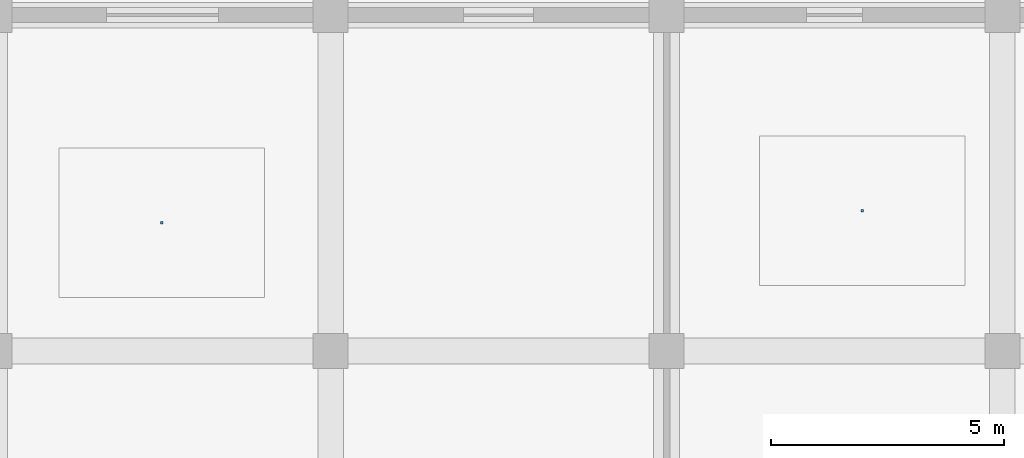
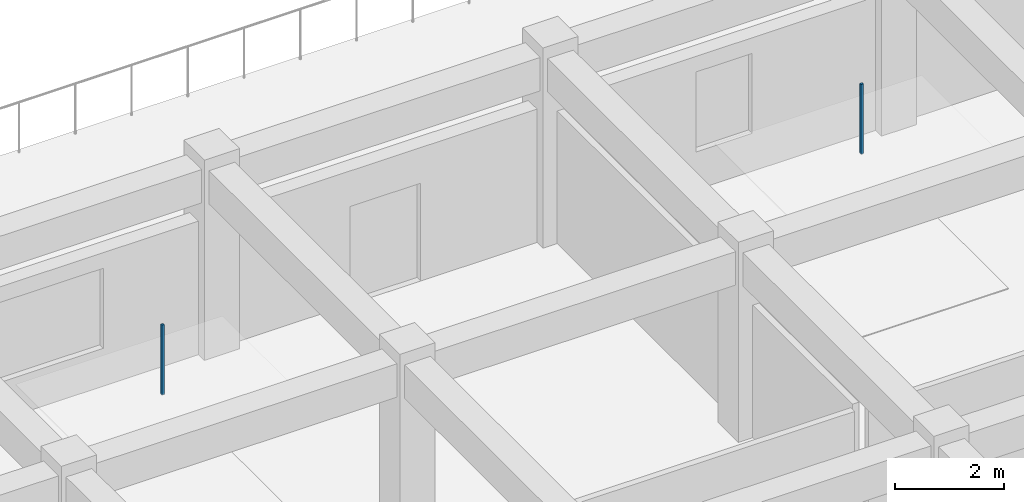
# One storey, part 48 of 56: 2 discrete accessories.
"""IFC4 building model written with IfcOpenShell, lengths in metres."""

import ifcopenshell
import ifcopenshell.guid

model = None  # the IFC model being written
_history = None  # IfcOwnerHistory: only IFC2X3 demands one
_inside = {}  # id of a spatial element -> (the spatial element, [elements in it])
_under = {}  # id of a project, library or spatial element -> (it, [spatial elements below it])
_declared = {}  # id of a project -> (the project, [libraries it declares])
_typed = {}  # id of a type object -> (the type object, [elements of that type])
_made_of = {}  # id of a material, layer set ... -> (it, [elements and type objects made of it])


def new_model(schema):
    """Start an empty IFC model of exactly this schema.

    Asked for "IFC4X3", IfcOpenShell would pick the latest addendum, in which some entities
    have other attributes; the version numbers below select the first issue.
    IFC2X3 requires an IfcOwnerHistory on every rooted entity: one is made here for all.
    """
    global model, _history
    if schema == "IFC4X3":
        model = ifcopenshell.file(schema_version=(4, 3, 0, 0))
    else:
        model = ifcopenshell.file(schema=schema)
    _inside.clear()
    _under.clear()
    _declared.clear()
    _typed.clear()
    _made_of.clear()
    _history = None
    if model.schema == "IFC2X3":
        org = make("IfcOrganization", Name="unknown")
        user = make(
            "IfcPersonAndOrganization",
            ThePerson=make("IfcPerson", FamilyName="unknown"),
            TheOrganization=org,
        )
        app = make(
            "IfcApplication",
            ApplicationDeveloper=org,
            Version="unknown",
            ApplicationFullName="unknown",
            ApplicationIdentifier="unknown",
        )
        _history = make(
            "IfcOwnerHistory",
            OwningUser=user,
            OwningApplication=app,
            ChangeAction="ADDED",
            CreationDate=0,
        )
    return model


def make(cls, **values):
    """One entity of the class cls with the attributes given. An attribute that is None is left unset."""
    return model.create_entity(
        cls, **{name: value for name, value in values.items() if value is not None}
    )


def rooted(cls, **values):
    """An entity with a GlobalId (a new one), such as an element, a storey or a relation."""
    return make(cls, GlobalId=ifcopenshell.guid.new(), OwnerHistory=_history, **values)


def si_unit(unit_type, name, prefix=None):
    """IfcSIUnit, for example si_unit("LENGTHUNIT", "METRE", prefix="MILLI")."""
    return make("IfcSIUnit", UnitType=unit_type, Prefix=prefix, Name=name)


def assignment(units):
    """IfcUnitAssignment: the units of a project."""
    return None if units is None else make("IfcUnitAssignment", Units=units)


def point(xyz):
    """IfcCartesianPoint."""
    return None if xyz is None else make("IfcCartesianPoint", Coordinates=xyz)


def direction(xyz):
    """IfcDirection."""
    return None if xyz is None else make("IfcDirection", DirectionRatios=xyz)


def frame(location, z_axis=None, x_axis=None):
    """IfcAxis2Placement3D, a coordinate frame: its origin and axes. An axis left out is left unset."""
    return make(
        "IfcAxis2Placement3D",
        Location=point(location),
        Axis=direction(z_axis),
        RefDirection=direction(x_axis),
    )


def frame_2d(location, x_axis=None):
    """IfcAxis2Placement2D, a coordinate frame in the plane: its origin and x axis."""
    return make(
        "IfcAxis2Placement2D", Location=point(location), RefDirection=direction(x_axis)
    )


def origin():
    """The frame at (0, 0, 0) with its axes left unset."""
    return frame((0.0, 0.0, 0.0))


def origin_2d():
    """The frame at (0, 0) in the plane with its x axis left unset."""
    return frame_2d((0.0, 0.0))


def place(relative_to, where):
    """IfcLocalPlacement: puts the frame where relative to a parent placement (None: the world)."""
    return make(
        "IfcLocalPlacement", PlacementRelTo=relative_to, RelativePlacement=where
    )


def context(
    kind, dimensions, precision=None, world=None, true_north=None, identifier=None
):
    """IfcGeometricRepresentationContext, for example the 3D "Model" context."""
    return make(
        "IfcGeometricRepresentationContext",
        ContextIdentifier=identifier,
        ContextType=kind,
        CoordinateSpaceDimension=dimensions,
        Precision=precision,
        WorldCoordinateSystem=world,
        TrueNorth=true_north,
    )


def subcontext(parent, identifier, kind, view, scale=None):
    """IfcGeometricRepresentationSubContext, for example "Body" below "Model"."""
    return make(
        "IfcGeometricRepresentationSubContext",
        ContextIdentifier=identifier,
        ContextType=kind,
        ParentContext=parent,
        TargetScale=scale,
        TargetView=view,
    )


def project(units=None, contexts=None):
    """IfcProject with its units and contexts."""
    return rooted(
        "IfcProject",
        Name="project",
        RepresentationContexts=contexts,
        UnitsInContext=assignment(units),
    )


def spatial(cls, under=None, at=None, **own):
    """A site, building, storey or space (cls), placed at a placement, below another one or the project."""
    s = rooted(cls, ObjectPlacement=at, **own)
    if under is not None:
        _under.setdefault(under.id(), (under, []))[1].append(s)
    return s


def profile(cls, at=None, kind="AREA", **sizes):
    """A parametric profile (cls). Its sizes go by their IFC names, for example OverallWidth=200.0."""
    return make(cls, ProfileType=kind, Position=at, **sizes)


def rectangle(**sizes):
    """IfcRectangleProfileDef."""
    return profile("IfcRectangleProfileDef", **sizes)


def extrude(swept, where, along, depth):
    """IfcExtrudedAreaSolid: the profile swept, set in the frame where, extruded along a direction by depth."""
    return make(
        "IfcExtrudedAreaSolid",
        SweptArea=swept,
        Position=where,
        ExtrudedDirection=direction(along),
        Depth=depth,
    )


def shape(context_of_items, identifier, shape_type, items):
    """IfcShapeRepresentation: the items that make up one representation, for example the "Body"."""
    return make(
        "IfcShapeRepresentation",
        ContextOfItems=context_of_items,
        RepresentationIdentifier=identifier,
        RepresentationType=shape_type,
        Items=items,
    )


def material(Name=None, Category=None):
    """IfcMaterial."""
    return make("IfcMaterial", Name=Name, Category=Category)


def made_of(thing, what):
    """Note that an element or type object is made of a material, layer set ...; save() writes the relation."""
    if what is not None:
        _made_of.setdefault(what.id(), (what, []))[1].append(thing)
    return thing


def type_object(cls, material=None, **own):
    """A type object (cls), such as IfcWallType, which elements share."""
    return made_of(rooted(cls, **own), material)


def element(
    cls,
    number,
    at=None,
    inside=None,
    cuts=None,
    type_object=None,
    material=None,
    context=None,
    identifier="Body",
    shape_type=None,
    held_by="IfcProductDefinitionShape",
    body=None,
    shapes=None,
    **own,
):
    """One element of the class cls, such as IfcWall. Its Tag is "e" and its number.

    at: its placement. inside: the storey or other place that contains it. cuts: it is an
    opening in that element (IfcRelVoidsElement). A single representation is given by context,
    identifier, shape_type and body (its items); several are given by shapes. held_by: the class
    of the entity that holds the representations. save() writes the other relations.
    """
    e = rooted(cls, Tag="e%d" % number, ObjectPlacement=at, **own)
    if body is not None:
        shapes = [shape(context, identifier, shape_type, body)]
    if shapes is not None:
        e.Representation = make(held_by, Representations=shapes)
    if inside is not None:
        _inside.setdefault(inside.id(), (inside, []))[1].append(e)
    if cuts is not None:
        rooted(
            "IfcRelVoidsElement", RelatingBuildingElement=cuts, RelatedOpeningElement=e
        )
    if type_object is not None:
        _typed.setdefault(type_object.id(), (type_object, []))[1].append(e)
    return made_of(e, material)


def aggregate(whole, parts):
    """IfcRelAggregates: a whole, such as a stair, and the parts it consists of."""
    return rooted("IfcRelAggregates", RelatingObject=whole, RelatedObjects=parts)


def save(model, path):
    """Write the relations noted so far, then the file.

    IfcRelAggregates (storeys below a building ...), IfcRelContainedInSpatialStructure (elements
    in a storey), IfcRelDefinesByType, IfcRelAssociatesMaterial and IfcRelDeclares: one each for
    every whole, place, type object, material and project.
    """
    for whole, parts in _under.values():
        aggregate(whole, parts)
    for where, things in _inside.values():
        rooted(
            "IfcRelContainedInSpatialStructure",
            RelatedElements=things,
            RelatingStructure=where,
        )
    for kind, things in _typed.values():
        rooted("IfcRelDefinesByType", RelatedObjects=things, RelatingType=kind)
    for what, things in _made_of.values():
        rooted("IfcRelAssociatesMaterial", RelatedObjects=things, RelatingMaterial=what)
    for by, libraries in _declared.values():
        rooted("IfcRelDeclares", RelatingContext=by, RelatedDefinitions=libraries)
    model.write(path)


model = new_model("IFC4")

# Units and contexts
model_context = context("Model", 3, precision=1e-05, world=origin(), true_north=direction((0.0, 1.0)))
body_context = subcontext(model_context, "Body", "Model", "MODEL_VIEW")
ifc_project = project(units=[si_unit("LENGTHUNIT", "METRE"), si_unit("AREAUNIT", "SQUARE_METRE"), si_unit("VOLUMEUNIT", "CUBIC_METRE"), si_unit("PLANEANGLEUNIT", "RADIAN"), si_unit("MASSUNIT", "GRAM", prefix="KILO")], contexts=[model_context])

# Site, building, storey
site_placement = place(None, origin())
site = spatial("IfcSite", under=ifc_project, at=site_placement, CompositionType="ELEMENT")
building_placement = place(site_placement, origin())
building = spatial("IfcBuilding", under=site, at=building_placement, Name="Kazehaya Institute of Natural Sciences", CompositionType="ELEMENT")
storey_placement = place(building_placement, frame((0.0, 0.0, 24.300048828125)))
storey = spatial("IfcBuildingStorey", under=building, at=storey_placement, Name="L05", CompositionType="ELEMENT", Elevation=24.300048828125)

# Discrete accessories
ifc_material = material(Name="Structural steel SN490B", Category="steel")
discrete_accessory_type = type_object("IfcDiscreteAccessoryType", Name="ACC-CLG-HGR", PredefinedType="BRACKET", material=ifc_material)
for number, where, z_axis, x_axis, name in (
    (1, (79.77978515625, 103.1484375, 2.8525390625), (0.0, 0.0, 1.0), (1.0, 0.0, 0.0), "L05 ceiling suspension hanger 53"),
    (2, (94.796142578125, 103.40380859375, 2.8525390625), (0.0, 0.0, 1.0), (1.0, 0.0, 0.0), "L05 ceiling suspension hanger 54"),
):
    element("IfcDiscreteAccessory", number, at=place(storey_placement, frame(where, z_axis=z_axis, x_axis=x_axis)), inside=storey, type_object=discrete_accessory_type, Name=name, PredefinedType="BRACKET", context=body_context, shape_type="SweptSolid", body=[
        extrude(rectangle(XDim=0.050048828125, YDim=0.050048828125, at=origin_2d()), origin(), (0.0, 0.0, 1.0), 1.5673828125),
    ])

save(model, "model.ifc")
